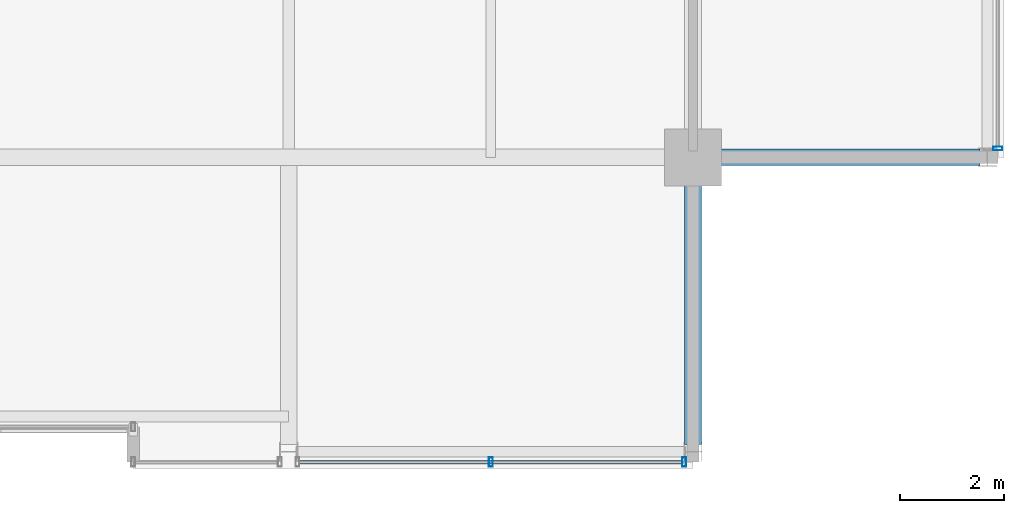
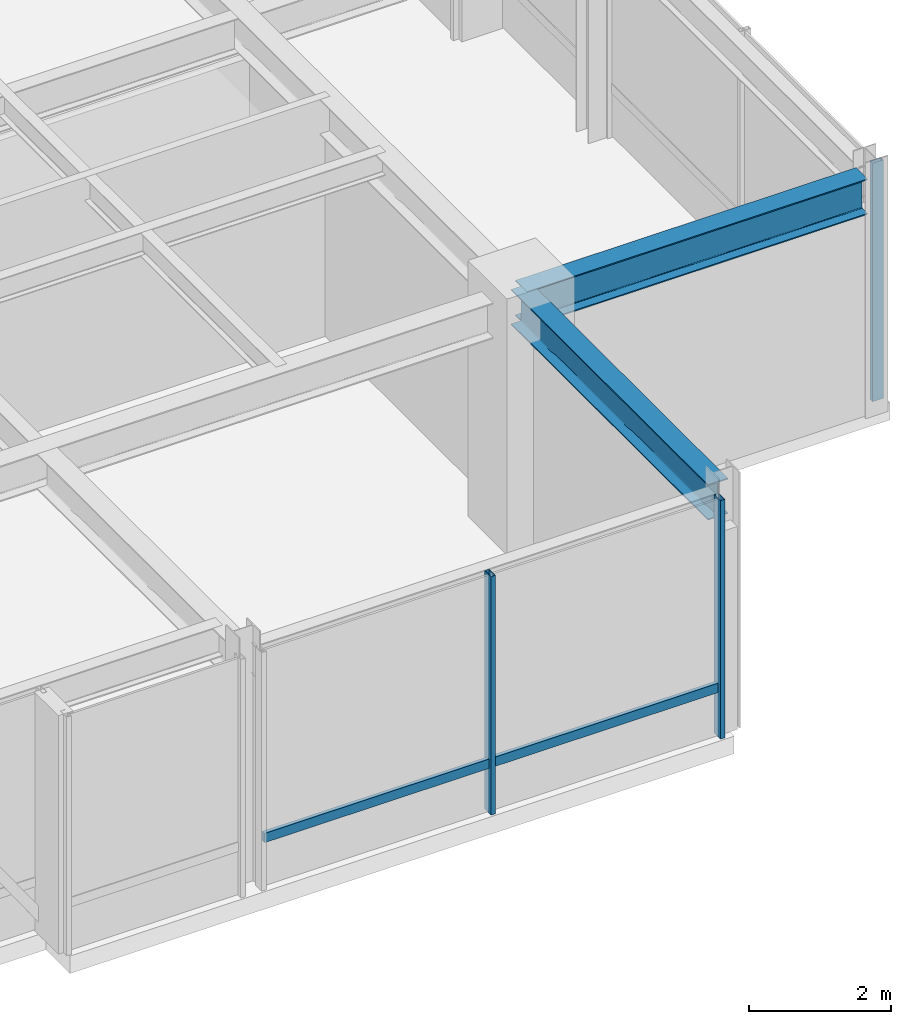
# One storey, part 16 of 34: 4 members, 2 beams, 2 elements without a shape of their own.
"""IFC4 building model written with IfcOpenShell, lengths in metres."""

from ifc_helpers import new_model, si_unit, direction, frame, origin, origin_2d, place, context, subcontext, project, spatial, hollow_rectangle, i_section, extrude, material, layer, layer_set, material_profile, profile_set, type_object, element, aggregate, save


model = new_model("IFC4")

# Units and contexts
model_context = context("Model", 3, precision=1e-05, world=origin(), true_north=direction((0.0, 1.0)))
body_context = subcontext(model_context, "Body", "Model", "MODEL_VIEW")
ifc_project = project(units=[si_unit("LENGTHUNIT", "METRE"), si_unit("AREAUNIT", "SQUARE_METRE"), si_unit("VOLUMEUNIT", "CUBIC_METRE"), si_unit("PLANEANGLEUNIT", "RADIAN"), si_unit("MASSUNIT", "GRAM", prefix="KILO")], contexts=[model_context])

# Site, building, storey
site_placement = place(None, origin())
site = spatial("IfcSite", under=ifc_project, at=site_placement, CompositionType="ELEMENT")
building_placement = place(site_placement, origin())
building = spatial("IfcBuilding", under=site, at=building_placement, Name="Drelvath Grand Hotel", CompositionType="ELEMENT")
storey_placement = place(building_placement, frame((0.0, 0.0, 294.199951171875)))
storey = spatial("IfcBuildingStorey", under=building, at=storey_placement, Name="L77", CompositionType="ELEMENT", Elevation=294.199951171875)

# Curtain wall, member
ifc_material_1 = material(Name="Platinum-Mist Anodised Aluminium Frame", Category="aluminium")
ifc_layer = layer(ifc_material_1, 0.199951171875)
ifc_layer_set = layer_set([ifc_layer], Name="Platinum-Mist Anodised Aluminium Frame")
curtain_wall_type = type_object("IfcCurtainWallType", Name="Stick Curtain Wall CW-05 Platinum Mist High-Rise", PredefinedType="NOTDEFINED", material=ifc_layer_set)
curtain_wall_1_placement = place(storey_placement, origin())
curtain_wall_1 = element("IfcCurtainWall", 1, at=curtain_wall_1_placement, inside=storey, type_object=curtain_wall_type, Name="L77 CW-05 Curtain Wall CW05-L77-SE2", PredefinedType="NOTDEFINED")
ifc_material_profile_1 = material_profile(ifc_material_1, hollow_rectangle(XDim=0.06494140625, YDim=0.159912109375, WallThickness=0.00390625, at=origin_2d()), Name="HSS160X65X4")
ifc_profile_set_1 = profile_set([ifc_material_profile_1], Name="Platinum-Mist Anodised Aluminium Frame")
member_type_1 = type_object("IfcMemberType", Name="Curtain Wall Horizontal Transom CW-05 HSS160X65X4", PredefinedType="USERDEFINED", material=ifc_profile_set_1)
member_1_placement = place(storey_placement, frame((15.989990234375, 4.919921875, 0.85009765625), z_axis=(-1.0, 0.0, 0.0), x_axis=(0.0, -1.0, 0.0)))
member_1 = element("IfcMember", 2, at=member_1_placement, type_object=member_type_1, Name="CW05-L77-SE2 Sill Transom", ObjectType="TRANSOM", PredefinedType="USERDEFINED", context=body_context, shape_type="SweptSolid", body=[
    extrude(hollow_rectangle(XDim=0.06494140625, YDim=0.159912109375, WallThickness=0.00390625, at=origin_2d()), origin(), (0.0, 0.0, 1.0), 7.3798828125),
])

curtain_wall_2_placement = place(storey_placement, origin())
curtain_wall_2 = element("IfcCurtainWall", 3, at=curtain_wall_2_placement, inside=storey, type_object=curtain_wall_type, Name="L77 CW-05 Curtain Wall CW05-L77-ES1", PredefinedType="NOTDEFINED")
ifc_material_profile_2 = material_profile(ifc_material_1, hollow_rectangle(XDim=0.074951171875, YDim=0.179931640625, WallThickness=0.0048828125, at=origin_2d()), Name="HSS180X75X5")
ifc_profile_set_2 = profile_set([ifc_material_profile_2], Name="Platinum-Mist Anodised Aluminium Frame")
member_type_2 = type_object("IfcMemberType", Name="Curtain Wall Vertical Mullion CW-05 HSS180X75X5", PredefinedType="MULLION", material=ifc_profile_set_2)
member_2_placement = place(storey_placement, frame((22.080078125, 10.97021484375, 0.0), z_axis=(0.0, 0.0, 1.0), x_axis=(0.0, 1.0, 0.0)))
member_2 = element("IfcMember", 4, at=member_2_placement, type_object=member_type_2, Name="CW05-L77-ES1 Mullion 3", PredefinedType="MULLION", context=body_context, shape_type="SweptSolid", body=[
    extrude(hollow_rectangle(XDim=0.074951171875, YDim=0.179931640625, WallThickness=0.0048828125, at=origin_2d()), origin(), (0.0, 0.0, 1.0), 4.10009765625),
])
aggregate(curtain_wall_2, [member_2])

# Member
member_3_placement = place(storey_placement, frame((16.02978515625, 4.919921875, 0.0), z_axis=(0.0, 0.0, 1.0), x_axis=(1.0, 0.0, 0.0)))
member_3 = element("IfcMember", 5, at=member_3_placement, type_object=member_type_2, Name="CW05-L77-SE2 Mullion 1", PredefinedType="MULLION", context=body_context, shape_type="SweptSolid", body=[
    extrude(hollow_rectangle(XDim=0.074951171875, YDim=0.179931640625, WallThickness=0.0048828125, at=origin_2d()), origin(), (0.0, 0.0, 1.0), 4.10009765625),
])

member_4_placement = place(storey_placement, frame((12.300048828125, 4.919921875, 0.0), z_axis=(0.0, 0.0, 1.0), x_axis=(1.0, 0.0, 0.0)))
member_4 = element("IfcMember", 6, at=member_4_placement, type_object=member_type_2, Name="CW05-L77-SE2 Mullion 2", PredefinedType="MULLION", context=body_context, shape_type="SweptSolid", body=[
    extrude(hollow_rectangle(XDim=0.074951171875, YDim=0.179931640625, WallThickness=0.0048828125, at=origin_2d()), origin(), (0.0, 0.0, 1.0), 4.10009765625),
])

aggregate(curtain_wall_1, [member_3, member_4, member_1])

# Beams
ifc_material_2 = material(Name="Steel ASTM A992 Gr 50", Category="steel")
ifc_material_profile_3 = material_profile(ifc_material_2, i_section(OverallWidth=0.323974609375, OverallDepth=0.611083984375, WebThickness=0.0126953125, FlangeThickness=0.01904296875, FilletRadius=0.02197265625, at=origin_2d()), Name="W24X104")
ifc_profile_set_3 = profile_set([ifc_material_profile_3], Name="Steel ASTM A992 Gr 50")
beam_type = type_object("IfcBeamType", Name="Primary Floor Girder W24X104", PredefinedType="BEAM", material=ifc_profile_set_3)
for number, where, z_axis, x_axis, name in (
    (7, (16.199951171875, 10.800048828125, 3.79443359375), (1.0, 0.0, 0.0), (0.0, 1.0, 0.0), "L77 East Grid Girder C"),
    (8, (16.199951171875, 5.260009765625, 3.79443359375), (0.0, 1.0, 0.0), (-1.0, 0.0, 0.0), "L77 South Grid Girder 7"),
):
    element("IfcBeam", number, at=place(storey_placement, frame(where, z_axis=z_axis, x_axis=x_axis)), inside=storey, type_object=beam_type, Name=name, PredefinedType="BEAM", context=body_context, shape_type="SweptSolid", body=[
        extrude(i_section(OverallWidth=0.323974609375, OverallDepth=0.611083984375, WebThickness=0.0126953125, FlangeThickness=0.01904296875, FilletRadius=0.02197265625, at=origin_2d()), origin(), (0.0, 0.0, 1.0), 5.5400390625),
    ])

save(model, "model.ifc")
